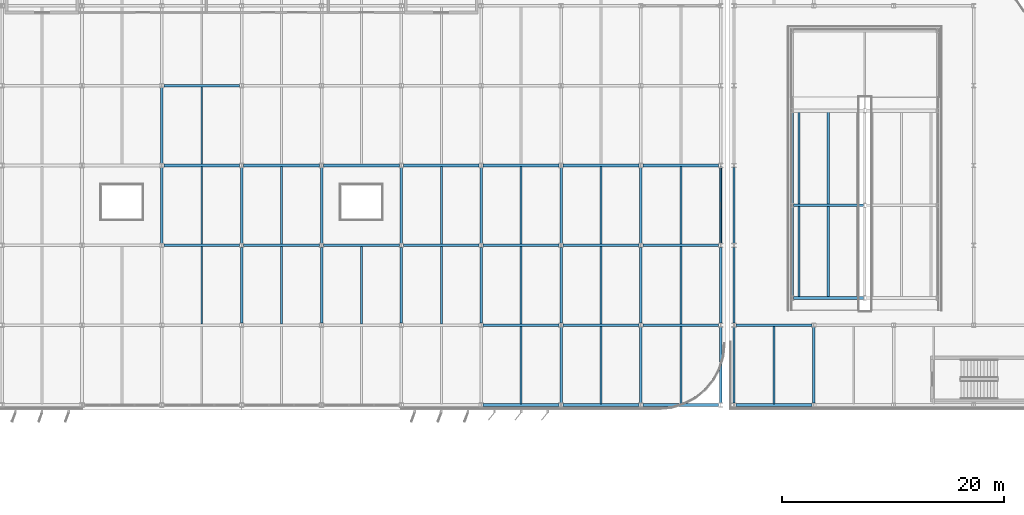
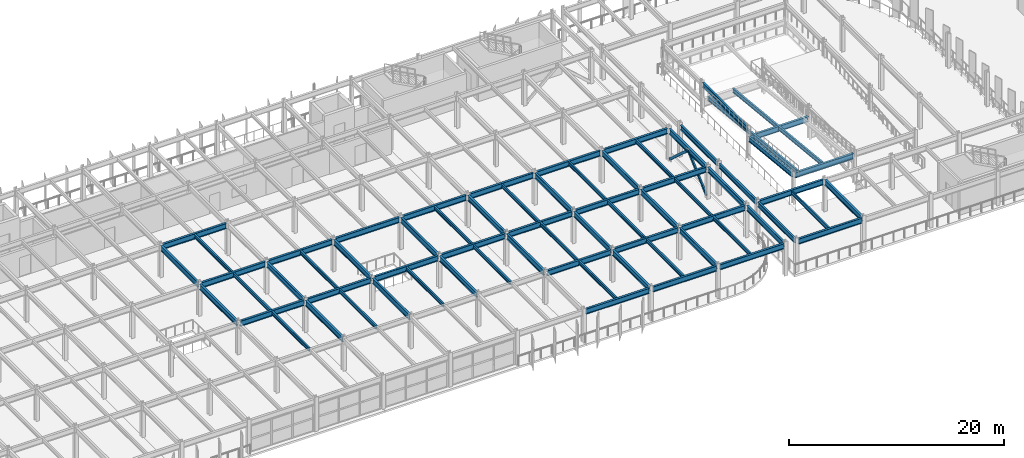
# One storey, part 19 of 52: 70 beams, 2 members.
"""IFC4 building model written with IfcOpenShell, lengths in metres."""

from ifc_helpers import new_model, si_unit, direction, frame, origin, origin_2d, place, context, subcontext, project, spatial, hollow_rectangle, i_section, extrude, material, material_profile, profile_set, type_object, element, save


model = new_model("IFC4")

# Units and contexts
model_context = context("Model", 3, precision=1e-05, world=origin(), true_north=direction((0.0, 1.0)))
body_context = subcontext(model_context, "Body", "Model", "MODEL_VIEW")
ifc_project = project(units=[si_unit("LENGTHUNIT", "METRE"), si_unit("AREAUNIT", "SQUARE_METRE"), si_unit("VOLUMEUNIT", "CUBIC_METRE"), si_unit("PLANEANGLEUNIT", "RADIAN"), si_unit("MASSUNIT", "GRAM", prefix="KILO")], contexts=[model_context])

# Site, building, storey
site_placement = place(None, origin())
site = spatial("IfcSite", under=ifc_project, at=site_placement, CompositionType="ELEMENT")
building_placement = place(site_placement, origin())
building = spatial("IfcBuilding", under=site, at=building_placement, Name="Vaelcorin Mobility Hub", CompositionType="ELEMENT")
storey_placement = place(building_placement, frame((0.0, 0.0, 13.199951171875)))
storey = spatial("IfcBuildingStorey", under=building, at=storey_placement, Name="L03", CompositionType="ELEMENT", Elevation=13.199951171875)

# Beams
ifc_material_1 = material(Name="Steel ASTM A992 Grade 50", Category="steel")
ifc_material_profile_1 = material_profile(ifc_material_1, i_section(OverallWidth=0.177978515625, OverallDepth=0.404052734375, WebThickness=0.007568359375, FlangeThickness=0.010986328125, FilletRadius=0.012939453125, at=origin_2d()), Name="W16X36")
ifc_profile_set_1 = profile_set([ifc_material_profile_1], Name="Steel ASTM A992 Grade 50")
beam_type_1 = type_object("IfcBeamType", Name="BM-W16X36", PredefinedType="JOIST", material=ifc_profile_set_1)
beam_1_placement = place(storey_placement, frame((75.60009765625, 84.112060546875, 3.4580078125), z_axis=(0.0, 1.0, 0.0), x_axis=(-1.0, 0.0, 0.0)))
element("IfcBeam", 1, at=beam_1_placement, inside=storey, type_object=beam_type_1, Name="L03 Beam V4-L03-J-06-01-1", PredefinedType="JOIST", context=body_context, shape_type="SweptSolid", body=[
    extrude(i_section(OverallWidth=0.177978515625, OverallDepth=0.404052734375, WebThickness=0.007568359375, FlangeThickness=0.010986328125, FilletRadius=0.012939453125, at=origin_2d()), origin(), (0.0, 0.0, 1.0), 6.975830078125),
])
for number, where, z_axis, x_axis, name in (
    (2, (75.60009765625, 91.31201171875, 3.4580078125), (0.0, 1.0, 0.0), (-1.0, 0.0, 0.0), "L03 Beam V4-L03-J-06-02-1"),
    (3, (75.60009765625, 98.511962890625, 3.4580078125), (0.0, 1.0, 0.0), (-1.0, 0.0, 0.0), "L03 Beam V4-L03-J-06-03-1"),
):
    element("IfcBeam", number, at=place(storey_placement, frame(where, z_axis=z_axis, x_axis=x_axis)), inside=storey, type_object=beam_type_1, Name=name, PredefinedType="JOIST", context=body_context, shape_type="SweptSolid", body=[
        extrude(i_section(OverallWidth=0.177978515625, OverallDepth=0.404052734375, WebThickness=0.007568359375, FlangeThickness=0.010986328125, FilletRadius=0.012939453125, at=origin_2d()), origin(), (0.0, 0.0, 1.0), 6.97607421875),
    ])
beam_2_placement = place(storey_placement, frame((82.800048828125, 84.112060546875, 3.4580078125), z_axis=(0.0, 1.0, 0.0), x_axis=(-1.0, 0.0, 0.0)))
element("IfcBeam", 4, at=beam_2_placement, inside=storey, type_object=beam_type_1, Name="L03 Beam V4-L03-J-07-01-1", PredefinedType="JOIST", context=body_context, shape_type="SweptSolid", body=[
    extrude(i_section(OverallWidth=0.177978515625, OverallDepth=0.404052734375, WebThickness=0.007568359375, FlangeThickness=0.010986328125, FilletRadius=0.012939453125, at=origin_2d()), origin(), (0.0, 0.0, 1.0), 6.975830078125),
])
beam_3_placement = place(storey_placement, frame((82.800048828125, 91.31201171875, 3.4580078125), z_axis=(0.0, 1.0, 0.0), x_axis=(-1.0, 0.0, 0.0)))
element("IfcBeam", 5, at=beam_3_placement, inside=storey, type_object=beam_type_1, Name="L03 Beam V4-L03-J-07-02-1", PredefinedType="JOIST", context=body_context, shape_type="SweptSolid", body=[
    extrude(i_section(OverallWidth=0.177978515625, OverallDepth=0.404052734375, WebThickness=0.007568359375, FlangeThickness=0.010986328125, FilletRadius=0.012939453125, at=origin_2d()), origin(), (0.0, 0.0, 1.0), 6.97607421875),
])
for number, where, z_axis, x_axis, name in (
    (6, (90.0, 84.112060546875, 3.4580078125), (0.0, 1.0, 0.0), (-1.0, 0.0, 0.0), "L03 Beam V4-L03-J-08-01-1"),
    (7, (97.199951171875, 84.112060546875, 3.4580078125), (0.0, 1.0, 0.0), (-1.0, 0.0, 0.0), "L03 Beam V4-L03-J-09-01-1"),
):
    element("IfcBeam", number, at=place(storey_placement, frame(where, z_axis=z_axis, x_axis=x_axis)), inside=storey, type_object=beam_type_1, Name=name, PredefinedType="JOIST", context=body_context, shape_type="SweptSolid", body=[
        extrude(i_section(OverallWidth=0.177978515625, OverallDepth=0.404052734375, WebThickness=0.007568359375, FlangeThickness=0.010986328125, FilletRadius=0.012939453125, at=origin_2d()), origin(), (0.0, 0.0, 1.0), 6.975830078125),
    ])
beam_4_placement = place(storey_placement, frame((97.199951171875, 91.31201171875, 3.4580078125), z_axis=(0.0, 1.0, 0.0), x_axis=(-1.0, 0.0, 0.0)))
element("IfcBeam", 8, at=beam_4_placement, inside=storey, type_object=beam_type_1, Name="L03 Beam V4-L03-J-09-02-1", PredefinedType="JOIST", context=body_context, shape_type="SweptSolid", body=[
    extrude(i_section(OverallWidth=0.177978515625, OverallDepth=0.404052734375, WebThickness=0.007568359375, FlangeThickness=0.010986328125, FilletRadius=0.012939453125, at=origin_2d()), origin(), (0.0, 0.0, 1.0), 6.97607421875),
])
beam_5_placement = place(storey_placement, frame((104.39990234375, 84.112060546875, 3.4580078125), z_axis=(0.0, 1.0, 0.0), x_axis=(-1.0, 0.0, 0.0)))
element("IfcBeam", 9, at=beam_5_placement, inside=storey, type_object=beam_type_1, Name="L03 Beam V4-L03-J-10-01-1", PredefinedType="JOIST", context=body_context, shape_type="SweptSolid", body=[
    extrude(i_section(OverallWidth=0.177978515625, OverallDepth=0.404052734375, WebThickness=0.007568359375, FlangeThickness=0.010986328125, FilletRadius=0.012939453125, at=origin_2d()), origin(), (0.0, 0.0, 1.0), 6.975830078125),
])
beam_6_placement = place(storey_placement, frame((104.39990234375, 91.31201171875, 3.4580078125), z_axis=(0.0, 1.0, 0.0), x_axis=(-1.0, 0.0, 0.0)))
element("IfcBeam", 10, at=beam_6_placement, inside=storey, type_object=beam_type_1, Name="L03 Beam V4-L03-J-10-02-1", PredefinedType="JOIST", context=body_context, shape_type="SweptSolid", body=[
    extrude(i_section(OverallWidth=0.177978515625, OverallDepth=0.404052734375, WebThickness=0.007568359375, FlangeThickness=0.010986328125, FilletRadius=0.012939453125, at=origin_2d()), origin(), (0.0, 0.0, 1.0), 6.97607421875),
])
beam_7_placement = place(storey_placement, frame((111.60009765625, 84.112060546875, 3.4580078125), z_axis=(0.0, 1.0, 0.0), x_axis=(-1.0, 0.0, 0.0)))
element("IfcBeam", 11, at=beam_7_placement, inside=storey, type_object=beam_type_1, Name="L03 Beam V4-L03-J-11-01-1", PredefinedType="JOIST", context=body_context, shape_type="SweptSolid", body=[
    extrude(i_section(OverallWidth=0.177978515625, OverallDepth=0.404052734375, WebThickness=0.007568359375, FlangeThickness=0.010986328125, FilletRadius=0.012939453125, at=origin_2d()), origin(), (0.0, 0.0, 1.0), 6.975830078125),
])
beam_8_placement = place(storey_placement, frame((111.60009765625, 91.31201171875, 3.4580078125), z_axis=(0.0, 1.0, 0.0), x_axis=(-1.0, 0.0, 0.0)))
element("IfcBeam", 12, at=beam_8_placement, inside=storey, type_object=beam_type_1, Name="L03 Beam V4-L03-J-11-02-1", PredefinedType="JOIST", context=body_context, shape_type="SweptSolid", body=[
    extrude(i_section(OverallWidth=0.177978515625, OverallDepth=0.404052734375, WebThickness=0.007568359375, FlangeThickness=0.010986328125, FilletRadius=0.012939453125, at=origin_2d()), origin(), (0.0, 0.0, 1.0), 6.97607421875),
])
beam_9_placement = place(storey_placement, frame((118.800048828125, 84.112060546875, 3.4580078125), z_axis=(0.0, 1.0, 0.0), x_axis=(-1.0, 0.0, 0.0)))
element("IfcBeam", 13, at=beam_9_placement, inside=storey, type_object=beam_type_1, Name="L03 Beam V4-L03-J-12-01-1", PredefinedType="JOIST", context=body_context, shape_type="SweptSolid", body=[
    extrude(i_section(OverallWidth=0.177978515625, OverallDepth=0.404052734375, WebThickness=0.007568359375, FlangeThickness=0.010986328125, FilletRadius=0.012939453125, at=origin_2d()), origin(), (0.0, 0.0, 1.0), 6.975830078125),
])
beam_10_placement = place(storey_placement, frame((118.800048828125, 91.31201171875, 3.4580078125), z_axis=(0.0, 1.0, 0.0), x_axis=(-1.0, 0.0, 0.0)))
element("IfcBeam", 14, at=beam_10_placement, inside=storey, type_object=beam_type_1, Name="L03 Beam V4-L03-J-12-02-1", PredefinedType="JOIST", context=body_context, shape_type="SweptSolid", body=[
    extrude(i_section(OverallWidth=0.177978515625, OverallDepth=0.404052734375, WebThickness=0.007568359375, FlangeThickness=0.010986328125, FilletRadius=0.012939453125, at=origin_2d()), origin(), (0.0, 0.0, 1.0), 6.97607421875),
])
for number, where, z_axis, x_axis, name in (
    (15, (104.39990234375, 76.912109375, 3.47802734375), (0.0, 1.0, 0.0), (-1.0, 0.0, 0.0), "L03 Beam V4VR-L03-J-10-01-1"),
    (16, (111.60009765625, 76.912109375, 3.47802734375), (0.0, 1.0, 0.0), (-1.0, 0.0, 0.0), "L03 Beam V4VR-L03-J-11-01-1"),
    (17, (118.800048828125, 76.912109375, 3.47802734375), (0.0, 1.0, 0.0), (-1.0, 0.0, 0.0), "L03 Beam V4VR-L03-J-12-01-1"),
):
    element("IfcBeam", number, at=place(storey_placement, frame(where, z_axis=z_axis, x_axis=x_axis)), inside=storey, type_object=beam_type_1, Name=name, PredefinedType="JOIST", context=body_context, shape_type="SweptSolid", body=[
        extrude(i_section(OverallWidth=0.177978515625, OverallDepth=0.404052734375, WebThickness=0.007568359375, FlangeThickness=0.010986328125, FilletRadius=0.012939453125, at=origin_2d()), origin(), (0.0, 0.0, 1.0), 6.975830078125),
    ])
ifc_material_profile_2 = material_profile(ifc_material_1, i_section(OverallWidth=0.152099609375, OverallDepth=0.455078125, WebThickness=0.008056640625, FlangeThickness=0.01318359375, FilletRadius=0.012939453125, at=origin_2d()), Name="W18X40")
ifc_profile_set_2 = profile_set([ifc_material_profile_2], Name="Steel ASTM A992 Grade 50")
beam_type_2 = type_object("IfcBeamType", Name="BM-W18X40", PredefinedType="JOIST", material=ifc_profile_set_2)
beam_11_placement = place(storey_placement, frame((127.199951171875, 76.912109375, 3.423095703125), z_axis=(0.0, 1.0, 0.0), x_axis=(-1.0, 0.0, 0.0)))
element("IfcBeam", 18, at=beam_11_placement, inside=storey, type_object=beam_type_2, Name="L03 Beam V2E-L03-J-01-01-1", PredefinedType="JOIST", context=body_context, shape_type="SweptSolid", body=[
    extrude(i_section(OverallWidth=0.152099609375, OverallDepth=0.455078125, WebThickness=0.008056640625, FlangeThickness=0.01318359375, FilletRadius=0.012939453125, at=origin_2d()), origin(), (0.0, 0.0, 1.0), 6.975830078125),
])
ifc_material_profile_3 = material_profile(ifc_material_1, i_section(OverallWidth=0.19091796875, OverallDepth=0.4599609375, WebThickness=0.010009765625, FlangeThickness=0.01611328125, FilletRadius=0.012939453125, at=origin_2d()), Name="W18X55")
ifc_profile_set_3 = profile_set([ifc_material_profile_3], Name="Steel ASTM A992 Grade 50")
beam_type_3 = type_object("IfcBeamType", Name="BM-W18X55", PredefinedType="JOIST", material=ifc_profile_set_3)
for number, where, z_axis, x_axis, name in (
    (19, (129.449951171875, 103.239990234375, 1.570068359375), (0.0, -0.994876014241, 0.10110250387), (1.0, 0.0, 0.0), "Vehicle Ramp VR-2 L03 Flight 2 Stringer 1"),
    (20, (132.10009765625, 103.239990234375, 1.570068359375), (0.0, -0.994876014241, 0.10110250387), (1.0, 0.0, 0.0), "Vehicle Ramp VR-2 L03 Flight 2 Stringer 2"),
):
    element("IfcBeam", number, at=place(storey_placement, frame(where, z_axis=z_axis, x_axis=x_axis)), inside=storey, type_object=beam_type_3, Name=name, PredefinedType="JOIST", context=body_context, shape_type="SweptSolid", body=[
        extrude(i_section(OverallWidth=0.19091796875, OverallDepth=0.4599609375, WebThickness=0.010009765625, FlangeThickness=0.01611328125, FilletRadius=0.012939453125, at=origin_2d()), origin(), (0.0, 0.0, 1.0), 16.765869140625),
    ])
ifc_material_profile_4 = material_profile(ifc_material_1, i_section(OverallWidth=0.2099609375, OverallDepth=0.535888671875, WebThickness=0.010986328125, FlangeThickness=0.017333984375, FilletRadius=0.013916015625, at=origin_2d()), Name="W21X68")
ifc_profile_set_4 = profile_set([ifc_material_profile_4], Name="Steel ASTM A992 Grade 50")
beam_type_4 = type_object("IfcBeamType", Name="BM-W21X68", PredefinedType="SPANDREL", material=ifc_profile_set_4)
for number, where, z_axis, x_axis, name in (
    (21, (123.60009765625, 76.97607421875, 3.382080078125), (0.0, 1.0, 0.0), (-1.0, 0.0, 0.0), "L03 Beam V2E-L03-GY-01-01"),
    (22, (123.60009765625, 84.176025390625, 3.382080078125), (0.0, 1.0, 0.0), (-1.0, 0.0, 0.0), "L03 Beam V2E-L03-GY-01-02"),
):
    element("IfcBeam", number, at=place(storey_placement, frame(where, z_axis=z_axis, x_axis=x_axis)), inside=storey, type_object=beam_type_4, Name=name, PredefinedType="SPANDREL", context=body_context, shape_type="SweptSolid", body=[
        extrude(i_section(OverallWidth=0.2099609375, OverallDepth=0.535888671875, WebThickness=0.010986328125, FlangeThickness=0.017333984375, FilletRadius=0.013916015625, at=origin_2d()), origin(), (0.0, 0.0, 1.0), 6.847900390625),
    ])
beam_12_placement = place(storey_placement, frame((123.60009765625, 91.3759765625, 3.382080078125), z_axis=(0.0, 1.0, 0.0), x_axis=(-1.0, 0.0, 0.0)))
element("IfcBeam", 23, at=beam_12_placement, inside=storey, type_object=beam_type_4, Name="L03 Beam V2E-L03-GY-01-03", PredefinedType="SPANDREL", context=body_context, shape_type="SweptSolid", body=[
    extrude(i_section(OverallWidth=0.2099609375, OverallDepth=0.535888671875, WebThickness=0.010986328125, FlangeThickness=0.017333984375, FilletRadius=0.013916015625, at=origin_2d()), origin(), (0.0, 0.0, 1.0), 6.84814453125),
])
beam_13_placement = place(storey_placement, frame((128.85009765625, 86.625, 3.208984375), z_axis=(0.0, 0.994863760073, -0.101223015628), x_axis=(-1.0, 0.0, 0.0)))
element("IfcBeam", 24, at=beam_13_placement, inside=storey, type_object=beam_type_4, Name="V2E Ramp Top Tie W1", PredefinedType="SPANDREL", context=body_context, shape_type="SweptSolid", body=[
    extrude(i_section(OverallWidth=0.2099609375, OverallDepth=0.535888671875, WebThickness=0.010986328125, FlangeThickness=0.017333984375, FilletRadius=0.013916015625, at=origin_2d()), origin(), (0.0, 0.0, 1.0), 8.041259765625),
])
beam_14_placement = place(storey_placement, frame((128.85009765625, 94.97509765625, 3.382080078125), z_axis=(0.0, 1.0, 0.0), x_axis=(-1.0, 0.0, 0.0)))
element("IfcBeam", 25, at=beam_14_placement, inside=storey, type_object=beam_type_4, Name="V2E Ramp Top Tie W2", PredefinedType="SPANDREL", context=body_context, shape_type="SweptSolid", body=[
    extrude(i_section(OverallWidth=0.2099609375, OverallDepth=0.535888671875, WebThickness=0.010986328125, FlangeThickness=0.017333984375, FilletRadius=0.013916015625, at=origin_2d()), origin(), (0.0, 0.0, 1.0), 8.199951171875),
])
ifc_material_profile_5 = material_profile(ifc_material_1, i_section(OverallWidth=0.22802734375, OverallDepth=0.60205078125, WebThickness=0.010498046875, FlangeThickness=0.014892578125, FilletRadius=0.014892578125, at=origin_2d()), Name="W24X68")
ifc_profile_set_5 = profile_set([ifc_material_profile_5], Name="Steel ASTM A992 Grade 50")
beam_type_5 = type_object("IfcBeamType", Name="BM-W24X68", PredefinedType="SPANDREL", material=ifc_profile_set_5)
for number, where, z_axis, x_axis, name in (
    (26, (100.98388671875, 84.0, 3.359130859375), (1.0, 0.0, 0.0), (0.0, 1.0, 0.0), "L03 Beam V4-L03-GX-01-10"),
    (27, (108.18408203125, 84.0, 3.359130859375), (1.0, 0.0, 0.0), (0.0, 1.0, 0.0), "L03 Beam V4-L03-GX-01-11"),
    (28, (115.384033203125, 84.0, 3.359130859375), (1.0, 0.0, 0.0), (0.0, 1.0, 0.0), "L03 Beam V4-L03-GX-01-12"),
):
    element("IfcBeam", number, at=place(storey_placement, frame(where, z_axis=z_axis, x_axis=x_axis)), inside=storey, type_object=beam_type_5, Name=name, PredefinedType="SPANDREL", context=body_context, shape_type="SweptSolid", body=[
        extrude(i_section(OverallWidth=0.22802734375, OverallDepth=0.60205078125, WebThickness=0.010498046875, FlangeThickness=0.014892578125, FilletRadius=0.014892578125, at=origin_2d()), origin(), (0.0, 0.0, 1.0), 6.83203125),
    ])
beam_15_placement = place(storey_placement, frame((72.0, 91.3798828125, 3.359130859375), z_axis=(0.0, 1.0, 0.0), x_axis=(-1.0, 0.0, 0.0)))
element("IfcBeam", 29, at=beam_15_placement, inside=storey, type_object=beam_type_5, Name="L03 Beam V4-L03-GY-06-02", PredefinedType="SPANDREL", context=body_context, shape_type="SweptSolid", body=[
    extrude(i_section(OverallWidth=0.22802734375, OverallDepth=0.60205078125, WebThickness=0.010498046875, FlangeThickness=0.014892578125, FilletRadius=0.014892578125, at=origin_2d()), origin(), (0.0, 0.0, 1.0), 6.840087890625),
])
beam_16_placement = place(storey_placement, frame((72.0, 98.580078125, 3.359130859375), z_axis=(0.0, 1.0, 0.0), x_axis=(-1.0, 0.0, 0.0)))
element("IfcBeam", 30, at=beam_16_placement, inside=storey, type_object=beam_type_5, Name="L03 Beam V4-L03-GY-06-03", PredefinedType="SPANDREL", context=body_context, shape_type="SweptSolid", body=[
    extrude(i_section(OverallWidth=0.22802734375, OverallDepth=0.60205078125, WebThickness=0.010498046875, FlangeThickness=0.014892578125, FilletRadius=0.014892578125, at=origin_2d()), origin(), (0.0, 0.0, 1.0), 6.83984375),
])
beam_17_placement = place(storey_placement, frame((79.199951171875, 84.18408203125, 3.359130859375), z_axis=(0.0, 1.0, 0.0), x_axis=(-1.0, 0.0, 0.0)))
element("IfcBeam", 31, at=beam_17_placement, inside=storey, type_object=beam_type_5, Name="L03 Beam V4-L03-GY-07-01", PredefinedType="SPANDREL", context=body_context, shape_type="SweptSolid", body=[
    extrude(i_section(OverallWidth=0.22802734375, OverallDepth=0.60205078125, WebThickness=0.010498046875, FlangeThickness=0.014892578125, FilletRadius=0.014892578125, at=origin_2d()), origin(), (0.0, 0.0, 1.0), 6.8359375),
])
beam_18_placement = place(storey_placement, frame((79.199951171875, 91.3798828125, 3.359130859375), z_axis=(0.0, 1.0, 0.0), x_axis=(-1.0, 0.0, 0.0)))
element("IfcBeam", 32, at=beam_18_placement, inside=storey, type_object=beam_type_5, Name="L03 Beam V4-L03-GY-07-02", PredefinedType="SPANDREL", context=body_context, shape_type="SweptSolid", body=[
    extrude(i_section(OverallWidth=0.22802734375, OverallDepth=0.60205078125, WebThickness=0.010498046875, FlangeThickness=0.014892578125, FilletRadius=0.014892578125, at=origin_2d()), origin(), (0.0, 0.0, 1.0), 6.840087890625),
])
beam_19_placement = place(storey_placement, frame((86.39990234375, 84.18408203125, 3.359130859375), z_axis=(0.0, 1.0, 0.0), x_axis=(-1.0, 0.0, 0.0)))
element("IfcBeam", 33, at=beam_19_placement, inside=storey, type_object=beam_type_5, Name="L03 Beam V4-L03-GY-08-01", PredefinedType="SPANDREL", context=body_context, shape_type="SweptSolid", body=[
    extrude(i_section(OverallWidth=0.22802734375, OverallDepth=0.60205078125, WebThickness=0.010498046875, FlangeThickness=0.014892578125, FilletRadius=0.014892578125, at=origin_2d()), origin(), (0.0, 0.0, 1.0), 6.8359375),
])
beam_20_placement = place(storey_placement, frame((86.39990234375, 91.3798828125, 3.359130859375), z_axis=(0.0, 1.0, 0.0), x_axis=(-1.0, 0.0, 0.0)))
element("IfcBeam", 34, at=beam_20_placement, inside=storey, type_object=beam_type_5, Name="L03 Beam V4-L03-GY-08-02", PredefinedType="SPANDREL", context=body_context, shape_type="SweptSolid", body=[
    extrude(i_section(OverallWidth=0.22802734375, OverallDepth=0.60205078125, WebThickness=0.010498046875, FlangeThickness=0.014892578125, FilletRadius=0.014892578125, at=origin_2d()), origin(), (0.0, 0.0, 1.0), 6.840087890625),
])
beam_21_placement = place(storey_placement, frame((93.60009765625, 84.18408203125, 3.359130859375), z_axis=(0.0, 1.0, 0.0), x_axis=(-1.0, 0.0, 0.0)))
element("IfcBeam", 35, at=beam_21_placement, inside=storey, type_object=beam_type_5, Name="L03 Beam V4-L03-GY-09-01", PredefinedType="SPANDREL", context=body_context, shape_type="SweptSolid", body=[
    extrude(i_section(OverallWidth=0.22802734375, OverallDepth=0.60205078125, WebThickness=0.010498046875, FlangeThickness=0.014892578125, FilletRadius=0.014892578125, at=origin_2d()), origin(), (0.0, 0.0, 1.0), 6.8359375),
])
beam_22_placement = place(storey_placement, frame((93.60009765625, 91.3798828125, 3.359130859375), z_axis=(0.0, 1.0, 0.0), x_axis=(-1.0, 0.0, 0.0)))
element("IfcBeam", 36, at=beam_22_placement, inside=storey, type_object=beam_type_5, Name="L03 Beam V4-L03-GY-09-02", PredefinedType="SPANDREL", context=body_context, shape_type="SweptSolid", body=[
    extrude(i_section(OverallWidth=0.22802734375, OverallDepth=0.60205078125, WebThickness=0.010498046875, FlangeThickness=0.014892578125, FilletRadius=0.014892578125, at=origin_2d()), origin(), (0.0, 0.0, 1.0), 6.840087890625),
])
beam_23_placement = place(storey_placement, frame((100.800048828125, 84.18408203125, 3.359130859375), z_axis=(0.0, 1.0, 0.0), x_axis=(-1.0, 0.0, 0.0)))
element("IfcBeam", 37, at=beam_23_placement, inside=storey, type_object=beam_type_5, Name="L03 Beam V4-L03-GY-10-01", PredefinedType="SPANDREL", context=body_context, shape_type="SweptSolid", body=[
    extrude(i_section(OverallWidth=0.22802734375, OverallDepth=0.60205078125, WebThickness=0.010498046875, FlangeThickness=0.014892578125, FilletRadius=0.014892578125, at=origin_2d()), origin(), (0.0, 0.0, 1.0), 6.8359375),
])
beam_24_placement = place(storey_placement, frame((100.800048828125, 91.3798828125, 3.359130859375), z_axis=(0.0, 1.0, 0.0), x_axis=(-1.0, 0.0, 0.0)))
element("IfcBeam", 38, at=beam_24_placement, inside=storey, type_object=beam_type_5, Name="L03 Beam V4-L03-GY-10-02", PredefinedType="SPANDREL", context=body_context, shape_type="SweptSolid", body=[
    extrude(i_section(OverallWidth=0.22802734375, OverallDepth=0.60205078125, WebThickness=0.010498046875, FlangeThickness=0.014892578125, FilletRadius=0.014892578125, at=origin_2d()), origin(), (0.0, 0.0, 1.0), 6.840087890625),
])
beam_25_placement = place(storey_placement, frame((108.0, 84.18408203125, 3.359130859375), z_axis=(0.0, 1.0, 0.0), x_axis=(-1.0, 0.0, 0.0)))
element("IfcBeam", 39, at=beam_25_placement, inside=storey, type_object=beam_type_5, Name="L03 Beam V4-L03-GY-11-01", PredefinedType="SPANDREL", context=body_context, shape_type="SweptSolid", body=[
    extrude(i_section(OverallWidth=0.22802734375, OverallDepth=0.60205078125, WebThickness=0.010498046875, FlangeThickness=0.014892578125, FilletRadius=0.014892578125, at=origin_2d()), origin(), (0.0, 0.0, 1.0), 6.8359375),
])
beam_26_placement = place(storey_placement, frame((108.0, 91.3798828125, 3.359130859375), z_axis=(0.0, 1.0, 0.0), x_axis=(-1.0, 0.0, 0.0)))
element("IfcBeam", 40, at=beam_26_placement, inside=storey, type_object=beam_type_5, Name="L03 Beam V4-L03-GY-11-02", PredefinedType="SPANDREL", context=body_context, shape_type="SweptSolid", body=[
    extrude(i_section(OverallWidth=0.22802734375, OverallDepth=0.60205078125, WebThickness=0.010498046875, FlangeThickness=0.014892578125, FilletRadius=0.014892578125, at=origin_2d()), origin(), (0.0, 0.0, 1.0), 6.840087890625),
])
beam_27_placement = place(storey_placement, frame((115.199951171875, 84.18408203125, 3.359130859375), z_axis=(0.0, 1.0, 0.0), x_axis=(-1.0, 0.0, 0.0)))
element("IfcBeam", 41, at=beam_27_placement, inside=storey, type_object=beam_type_5, Name="L03 Beam V4-L03-GY-12-01", PredefinedType="SPANDREL", context=body_context, shape_type="SweptSolid", body=[
    extrude(i_section(OverallWidth=0.22802734375, OverallDepth=0.60205078125, WebThickness=0.010498046875, FlangeThickness=0.014892578125, FilletRadius=0.014892578125, at=origin_2d()), origin(), (0.0, 0.0, 1.0), 6.8359375),
])
beam_28_placement = place(storey_placement, frame((115.199951171875, 91.3798828125, 3.359130859375), z_axis=(0.0, 1.0, 0.0), x_axis=(-1.0, 0.0, 0.0)))
element("IfcBeam", 42, at=beam_28_placement, inside=storey, type_object=beam_type_5, Name="L03 Beam V4-L03-GY-12-02", PredefinedType="SPANDREL", context=body_context, shape_type="SweptSolid", body=[
    extrude(i_section(OverallWidth=0.22802734375, OverallDepth=0.60205078125, WebThickness=0.010498046875, FlangeThickness=0.014892578125, FilletRadius=0.014892578125, at=origin_2d()), origin(), (0.0, 0.0, 1.0), 6.840087890625),
])
beam_29_placement = place(storey_placement, frame((122.39990234375, 84.18408203125, 3.359130859375), z_axis=(0.0, 1.0, 0.0), x_axis=(-1.0, 0.0, 0.0)))
element("IfcBeam", 43, at=beam_29_placement, inside=storey, type_object=beam_type_5, Name="L03 Beam V4-L03-GY-13-01", PredefinedType="SPANDREL", context=body_context, shape_type="SweptSolid", body=[
    extrude(i_section(OverallWidth=0.22802734375, OverallDepth=0.60205078125, WebThickness=0.010498046875, FlangeThickness=0.014892578125, FilletRadius=0.014892578125, at=origin_2d()), origin(), (0.0, 0.0, 1.0), 6.8359375),
])
beam_30_placement = place(storey_placement, frame((122.39990234375, 91.3798828125, 3.359130859375), z_axis=(0.0, 1.0, 0.0), x_axis=(-1.0, 0.0, 0.0)))
element("IfcBeam", 44, at=beam_30_placement, inside=storey, type_object=beam_type_5, Name="L03 Beam V4-L03-GY-13-02", PredefinedType="SPANDREL", context=body_context, shape_type="SweptSolid", body=[
    extrude(i_section(OverallWidth=0.22802734375, OverallDepth=0.60205078125, WebThickness=0.010498046875, FlangeThickness=0.014892578125, FilletRadius=0.014892578125, at=origin_2d()), origin(), (0.0, 0.0, 1.0), 6.840087890625),
])
for number, where, z_axis, x_axis, name in (
    (45, (100.98291015625, 76.800048828125, 3.379150390625), (1.0, 0.0, 0.0), (0.0, 1.0, 0.0), "L03 Beam V4VR-L03-GX-01-10"),
    (46, (108.18408203125, 76.800048828125, 3.379150390625), (1.0, 0.0, 0.0), (0.0, 1.0, 0.0), "L03 Beam V4VR-L03-GX-01-11"),
    (47, (115.384033203125, 76.800048828125, 3.379150390625), (1.0, 0.0, 0.0), (0.0, 1.0, 0.0), "L03 Beam V4VR-L03-GX-01-12"),
):
    element("IfcBeam", number, at=place(storey_placement, frame(where, z_axis=z_axis, x_axis=x_axis)), inside=storey, type_object=beam_type_5, Name=name, PredefinedType="SPANDREL", context=body_context, shape_type="SweptSolid", body=[
        extrude(i_section(OverallWidth=0.22802734375, OverallDepth=0.60205078125, WebThickness=0.010498046875, FlangeThickness=0.014892578125, FilletRadius=0.014892578125, at=origin_2d()), origin(), (0.0, 0.0, 1.0), 6.8330078125),
    ])
for number, where, z_axis, x_axis, name in (
    (48, (108.0, 76.97998046875, 3.379150390625), (0.0, 1.0, 0.0), (-1.0, 0.0, 0.0), "L03 Beam V4VR-L03-GY-11-01"),
    (49, (115.199951171875, 76.97998046875, 3.379150390625), (0.0, 1.0, 0.0), (-1.0, 0.0, 0.0), "L03 Beam V4VR-L03-GY-12-01"),
    (50, (122.39990234375, 76.97998046875, 3.379150390625), (0.0, 1.0, 0.0), (-1.0, 0.0, 0.0), "L03 Beam V4VR-L03-GY-13-01"),
    (51, (123.781982421875, 76.800048828125, 3.34912109375), (1.0, 0.0, 0.0), (0.0, 1.0, 0.0), "L03 Beam V2E-L03-GX-01-01"),
):
    element("IfcBeam", number, at=place(storey_placement, frame(where, z_axis=z_axis, x_axis=x_axis)), inside=storey, type_object=beam_type_5, Name=name, PredefinedType="SPANDREL", context=body_context, shape_type="SweptSolid", body=[
        extrude(i_section(OverallWidth=0.22802734375, OverallDepth=0.60205078125, WebThickness=0.010498046875, FlangeThickness=0.014892578125, FilletRadius=0.014892578125, at=origin_2d()), origin(), (0.0, 0.0, 1.0), 6.8359375),
    ])
ifc_material_profile_6 = material_profile(ifc_material_1, i_section(OverallWidth=0.22900390625, OverallDepth=0.612060546875, WebThickness=0.011962890625, FlangeThickness=0.01953125, FilletRadius=0.014892578125, at=origin_2d()), Name="W24X84")
ifc_profile_set_6 = profile_set([ifc_material_profile_6], Name="Steel ASTM A992 Grade 50")
beam_type_6 = type_object("IfcBeamType", Name="BM-W24X84", PredefinedType="BEAM", material=ifc_profile_set_6)
for number, where, z_axis, x_axis, name in (
    (52, (72.18408203125, 91.199951171875, 3.35400390625), (1.0, 0.0, 0.0), (0.0, 1.0, 0.0), "L03 Beam V4-L03-GX-02-06"),
    (53, (79.384033203125, 91.199951171875, 3.35400390625), (1.0, 0.0, 0.0), (0.0, 1.0, 0.0), "L03 Beam V4-L03-GX-02-07"),
):
    element("IfcBeam", number, at=place(storey_placement, frame(where, z_axis=z_axis, x_axis=x_axis)), inside=storey, type_object=beam_type_6, Name=name, PredefinedType="BEAM", context=body_context, shape_type="SweptSolid", body=[
        extrude(i_section(OverallWidth=0.22900390625, OverallDepth=0.612060546875, WebThickness=0.011962890625, FlangeThickness=0.01953125, FilletRadius=0.014892578125, at=origin_2d()), origin(), (0.0, 0.0, 1.0), 6.8330078125),
    ])
beam_31_placement = place(storey_placement, frame((86.583984375, 91.199951171875, 3.35400390625), z_axis=(1.0, 0.0, 0.0), x_axis=(0.0, 1.0, 0.0)))
element("IfcBeam", 54, at=beam_31_placement, inside=storey, type_object=beam_type_6, Name="L03 Beam V4-L03-GX-02-08", PredefinedType="BEAM", context=body_context, shape_type="SweptSolid", body=[
    extrude(i_section(OverallWidth=0.22900390625, OverallDepth=0.612060546875, WebThickness=0.011962890625, FlangeThickness=0.01953125, FilletRadius=0.014892578125, at=origin_2d()), origin(), (0.0, 0.0, 1.0), 6.83203125),
])
for number, where, z_axis, x_axis, name in (
    (55, (93.782958984375, 91.199951171875, 3.35400390625), (1.0, 0.0, 0.0), (0.0, 1.0, 0.0), "L03 Beam V4-L03-GX-02-09"),
    (56, (100.98291015625, 91.199951171875, 3.35400390625), (1.0, 0.0, 0.0), (0.0, 1.0, 0.0), "L03 Beam V4-L03-GX-02-10"),
    (57, (108.18408203125, 91.199951171875, 3.35400390625), (1.0, 0.0, 0.0), (0.0, 1.0, 0.0), "L03 Beam V4-L03-GX-02-11"),
    (58, (115.384033203125, 91.199951171875, 3.35400390625), (1.0, 0.0, 0.0), (0.0, 1.0, 0.0), "L03 Beam V4-L03-GX-02-12"),
    (59, (72.18408203125, 98.39990234375, 3.35400390625), (1.0, 0.0, 0.0), (0.0, 1.0, 0.0), "L03 Beam V4-L03-GX-03-06"),
    (60, (79.384033203125, 98.39990234375, 3.35400390625), (1.0, 0.0, 0.0), (0.0, 1.0, 0.0), "L03 Beam V4-L03-GX-03-07"),
):
    element("IfcBeam", number, at=place(storey_placement, frame(where, z_axis=z_axis, x_axis=x_axis)), inside=storey, type_object=beam_type_6, Name=name, PredefinedType="BEAM", context=body_context, shape_type="SweptSolid", body=[
        extrude(i_section(OverallWidth=0.22900390625, OverallDepth=0.612060546875, WebThickness=0.011962890625, FlangeThickness=0.01953125, FilletRadius=0.014892578125, at=origin_2d()), origin(), (0.0, 0.0, 1.0), 6.8330078125),
    ])
beam_32_placement = place(storey_placement, frame((86.583984375, 98.39990234375, 3.35400390625), z_axis=(1.0, 0.0, 0.0), x_axis=(0.0, 1.0, 0.0)))
element("IfcBeam", 61, at=beam_32_placement, inside=storey, type_object=beam_type_6, Name="L03 Beam V4-L03-GX-03-08", PredefinedType="BEAM", context=body_context, shape_type="SweptSolid", body=[
    extrude(i_section(OverallWidth=0.22900390625, OverallDepth=0.612060546875, WebThickness=0.011962890625, FlangeThickness=0.01953125, FilletRadius=0.014892578125, at=origin_2d()), origin(), (0.0, 0.0, 1.0), 6.83203125),
])
for number, where, z_axis, x_axis, name in (
    (62, (93.782958984375, 98.39990234375, 3.35400390625), (1.0, 0.0, 0.0), (0.0, 1.0, 0.0), "L03 Beam V4-L03-GX-03-09"),
    (63, (100.98291015625, 98.39990234375, 3.35400390625), (1.0, 0.0, 0.0), (0.0, 1.0, 0.0), "L03 Beam V4-L03-GX-03-10"),
    (64, (108.18408203125, 98.39990234375, 3.35400390625), (1.0, 0.0, 0.0), (0.0, 1.0, 0.0), "L03 Beam V4-L03-GX-03-11"),
    (65, (115.384033203125, 98.39990234375, 3.35400390625), (1.0, 0.0, 0.0), (0.0, 1.0, 0.0), "L03 Beam V4-L03-GX-03-12"),
    (66, (72.18408203125, 105.60009765625, 3.35400390625), (1.0, 0.0, 0.0), (0.0, 1.0, 0.0), "L03 Beam V4-L03-GX-04-06"),
):
    element("IfcBeam", number, at=place(storey_placement, frame(where, z_axis=z_axis, x_axis=x_axis)), inside=storey, type_object=beam_type_6, Name=name, PredefinedType="BEAM", context=body_context, shape_type="SweptSolid", body=[
        extrude(i_section(OverallWidth=0.22900390625, OverallDepth=0.612060546875, WebThickness=0.011962890625, FlangeThickness=0.01953125, FilletRadius=0.014892578125, at=origin_2d()), origin(), (0.0, 0.0, 1.0), 6.8330078125),
    ])
beam_33_placement = place(storey_placement, frame((123.781982421875, 84.0, 3.343994140625), z_axis=(1.0, 0.0, 0.0), x_axis=(0.0, 1.0, 0.0)))
element("IfcBeam", 67, at=beam_33_placement, inside=storey, type_object=beam_type_6, Name="L03 Beam V2E-L03-GX-02-01", PredefinedType="BEAM", context=body_context, shape_type="SweptSolid", body=[
    extrude(i_section(OverallWidth=0.22900390625, OverallDepth=0.612060546875, WebThickness=0.011962890625, FlangeThickness=0.01953125, FilletRadius=0.014892578125, at=origin_2d()), origin(), (0.0, 0.0, 1.0), 6.8359375),
])
beam_34_placement = place(storey_placement, frame((130.800048828125, 76.97607421875, 3.343994140625), z_axis=(0.0, 1.0, 0.0), x_axis=(-1.0, 0.0, 0.0)))
element("IfcBeam", 68, at=beam_34_placement, inside=storey, type_object=beam_type_6, Name="L03 Beam V2E-L03-GY-02-01", PredefinedType="BEAM", context=body_context, shape_type="SweptSolid", body=[
    extrude(i_section(OverallWidth=0.22900390625, OverallDepth=0.612060546875, WebThickness=0.011962890625, FlangeThickness=0.01953125, FilletRadius=0.014892578125, at=origin_2d()), origin(), (0.0, 0.0, 1.0), 6.847900390625),
])
for number, where, z_axis, x_axis, name in (
    (69, (128.97998046875, 94.800048828125, 2.3310546875), (1.0, 0.0, 0.0), (0.0, 1.0, 0.0), "Vehicle Ramp VR-2 L03 Bent Girder F2M"),
    (70, (128.97998046875, 86.449951171875, 3.179931640625), (1.0, 0.0, 0.0), (0.0, 1.0, 0.0), "Vehicle Ramp VR-2 L03 Bent Girder F2S"),
):
    element("IfcBeam", number, at=place(storey_placement, frame(where, z_axis=z_axis, x_axis=x_axis)), inside=storey, type_object=beam_type_6, Name=name, PredefinedType="BEAM", context=body_context, shape_type="SweptSolid", body=[
        extrude(i_section(OverallWidth=0.22900390625, OverallDepth=0.612060546875, WebThickness=0.011962890625, FlangeThickness=0.01953125, FilletRadius=0.014892578125, at=origin_2d()), origin(), (0.0, 0.0, 1.0), 6.2900390625),
    ])

# Members
ifc_material_2 = material(Name="Steel ASTM A500 Grade C", Category="steel")
ifc_material_profile_7 = material_profile(ifc_material_2, hollow_rectangle(XDim=0.15234375, YDim=0.25390625, WallThickness=0.01171875, at=origin_2d()), Name="HSS10X6X0.500")
ifc_profile_set_7 = profile_set([ifc_material_profile_7], Name="Steel ASTM A500 Grade C")
member_type = type_object("IfcMemberType", Name="BR-SCBF-10X6", PredefinedType="BRACE", material=ifc_profile_set_7)
member_1_placement = place(storey_placement, frame((122.39990234375, 91.389892578125, 0.179931640625), z_axis=(0.0, 0.74319360332, 0.669076429106), x_axis=(-1.0, 0.0, 0.0)))
element("IfcMember", 71, at=member_1_placement, inside=storey, type_object=member_type, Name="SCBF Chevron Brace V4-BY2-L03-A", PredefinedType="BRACE", context=body_context, shape_type="SweptSolid", body=[
    extrude(hollow_rectangle(XDim=0.15234375, YDim=0.25390625, WallThickness=0.01171875, at=origin_2d()), origin(), (0.0, 0.0, 1.0), 4.588623046875),
])
member_2_placement = place(storey_placement, frame((122.39990234375, 98.2099609375, 0.179931640625), z_axis=(0.0, -0.743169783144, 0.669102887022), x_axis=(1.0, 0.0, 0.0)))
element("IfcMember", 72, at=member_2_placement, inside=storey, type_object=member_type, Name="SCBF Chevron Brace V4-BY2-L03-B", PredefinedType="BRACE", context=body_context, shape_type="SweptSolid", body=[
    extrude(hollow_rectangle(XDim=0.15234375, YDim=0.25390625, WallThickness=0.01171875, at=origin_2d()), origin(), (0.0, 0.0, 1.0), 4.58837890625),
])

save(model, "model.ifc")
